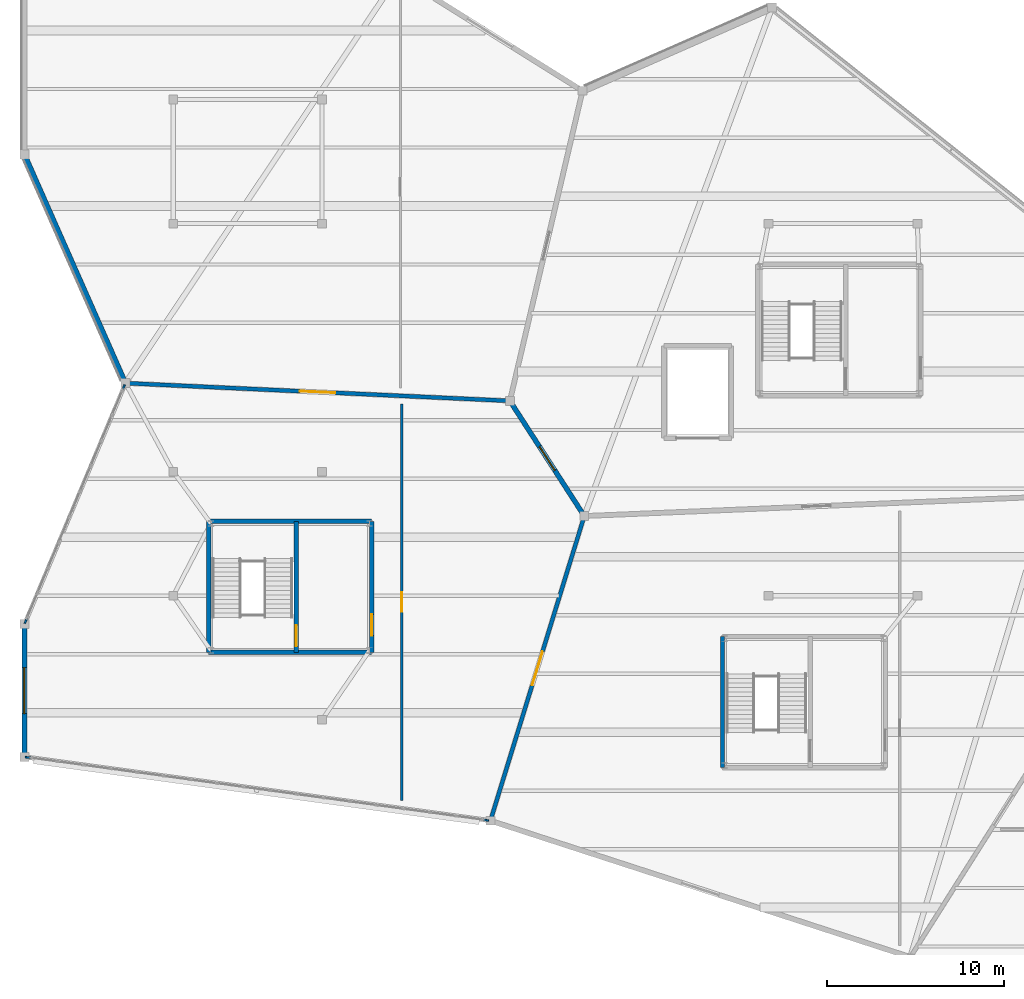
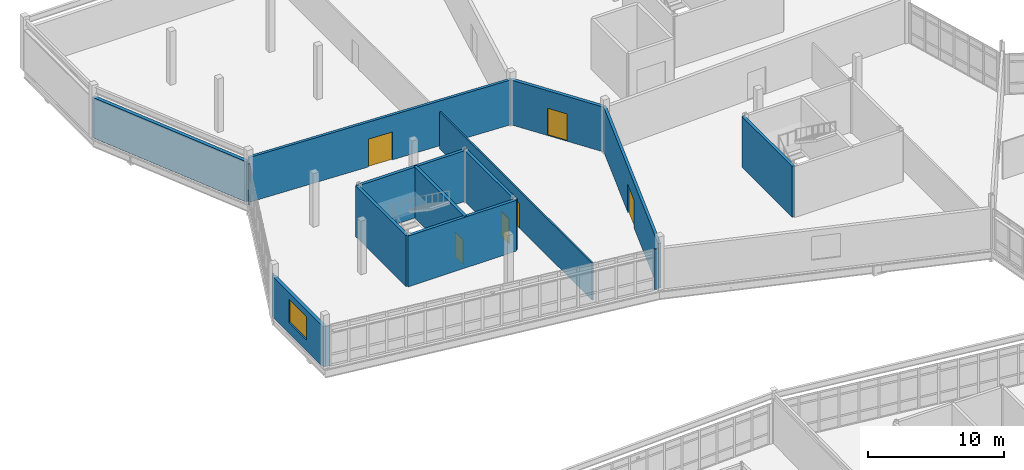
# One storey, part 111 of 134: 16 walls, 6 doors, 1 window, 7 openings.
"""IFC4 building model written with IfcOpenShell, lengths in metres."""

from ifc_helpers import new_model, si_unit, direction, frame, frame_2d, origin, place, context, subcontext, project, spatial, rectangle, extrude, material, layer, layer_set, type_object, element, fill, save


model = new_model("IFC4")

# Units and contexts
model_context = context("Model", 3, precision=1e-05, world=origin(), true_north=direction((0.0, 1.0)))
body_context = subcontext(model_context, "Body", "Model", "MODEL_VIEW")
ifc_project = project(units=[si_unit("LENGTHUNIT", "METRE"), si_unit("AREAUNIT", "SQUARE_METRE"), si_unit("VOLUMEUNIT", "CUBIC_METRE"), si_unit("PLANEANGLEUNIT", "RADIAN"), si_unit("MASSUNIT", "GRAM", prefix="KILO")], contexts=[model_context])

# Site, building, storey
site_placement = place(None, origin())
site = spatial("IfcSite", under=ifc_project, at=site_placement, CompositionType="ELEMENT")
building_placement = place(site_placement, origin())
building = spatial("IfcBuilding", under=site, at=building_placement, Name="Tameran Prism Museum", CompositionType="ELEMENT")
storey_placement = place(building_placement, frame((0.0, 0.0, 5.39990234375)))
storey = spatial("IfcBuildingStorey", under=building, at=storey_placement, Name="L01", CompositionType="ELEMENT", Elevation=5.39990234375)

# Walls
ifc_material_1 = material(Name="Precast Concrete N40 (40 MPa)", Category="concrete")
ifc_layer_1 = layer(ifc_material_1, 0.094970703125)
ifc_layer_set_1 = layer_set([ifc_layer_1])
wall_type_1 = type_object("IfcWallType", Name="EW-CLOS-095", PredefinedType="SOLIDWALL", material=ifc_layer_set_1)
for number, where, z_axis, x_axis, name in (
    (1, (26.198974609375, 64.31396484375, 0.0), (0.0, 0.0, 1.0), (-0.991074779294, 0.133307096014, 0.0), "Facade Corner Closure EW-0256"),
    (2, (0.346923828125, 67.85302734375, 0.0), (0.0, 0.0, 1.0), (-0.991074779294, 0.133307096014, 0.0), "Facade Corner Closure EW-0257"),
):
    element("IfcWall", number, at=place(storey_placement, frame(where, z_axis=z_axis, x_axis=x_axis)), inside=storey, type_object=wall_type_1, Name=name, PredefinedType="SOLIDWALL", context=body_context, shape_type="SweptSolid", body=[
        extrude(rectangle(XDim=0.3076171875, YDim=0.094970703125, at=frame_2d((0.15380859375, 0.0))), origin(), (0.0, 0.0, 1.0), 3.6201171875),
    ])
for number, where, z_axis, x_axis, name in (
    (3, (0.01611328125, 75.43896484375, 0.0), (0.0, 0.0, 1.0), (0.3862479465, 0.922394993387, 0.0), "Facade Corner Closure EW-0258"),
    (4, (5.5419921875, 88.6220703125, 0.0), (0.0, 0.0, 1.0), (0.3862479465, 0.922394993387, 0.0), "Facade Corner Closure EW-0259"),
):
    element("IfcWall", number, at=place(storey_placement, frame(where, z_axis=z_axis, x_axis=x_axis)), inside=storey, type_object=wall_type_1, Name=name, PredefinedType="SOLIDWALL", context=body_context, shape_type="SweptSolid", body=[
        extrude(rectangle(XDim=0.307861328125, YDim=0.094970703125, at=frame_2d((0.15380859375, 0.0))), origin(), (0.0, 0.0, 1.0), 3.6201171875),
    ])

# Wall, opening, window
ifc_material_2 = material(Name="Precast Concrete N40 (40 MPa)", Category="concrete")
ifc_layer_2 = layer(ifc_material_2, 0.2900390625)
ifc_layer_set_2 = layer_set([ifc_layer_2])
wall_type_2 = type_object("IfcWallType", Name="EW-FOY-290", PredefinedType="SOLIDWALL", material=ifc_layer_set_2)
wall_1_placement = place(storey_placement, frame((0.0, 67.89990234375, 0.0), z_axis=(0.0, 0.0, 1.0), x_axis=(0.0, 1.0, 0.0)))
wall_1 = element("IfcWall", 5, at=wall_1_placement, inside=storey, type_object=wall_type_2, Name="Exterior Fluted Precast Wall EW-0255", PredefinedType="SOLIDWALL", context=body_context, shape_type="SweptSolid", body=[
    extrude(rectangle(XDim=7.5, YDim=0.2900390625, at=frame_2d((3.75, 0.0))), origin(), (0.0, 0.0, 1.0), 3.6201171875),
])
opening_1_placement = place(wall_1_placement, frame((2.449951171875, 0.0, 0.949951171875)))
opening_1 = element("IfcOpeningElement", 6, at=opening_1_placement, cuts=wall_1, Name="Opening W-009", PredefinedType="OPENING", context=body_context, shape_type="SweptSolid", body=[
    extrude(rectangle(XDim=2.60009765625, YDim=2.10009765625, at=frame_2d((1.300048828125, 1.050048828125))), frame((0.0, 0.155029296875, 0.0), z_axis=(0.0, -1.0, 0.0), x_axis=(1.0, 0.0, 0.0)), (0.0, 0.0, 1.0), 0.31005859375),
])
ifc_material_3 = material(Name="Cyclone Laminated Low-E Glass in 6063-T6 Frame", Category="glass")
window_type = type_object("IfcWindowType", Name="WIN-W09", PartitioningType="SINGLE_PANEL", PredefinedType="WINDOW", material=ifc_material_3)
window_placement = place(opening_1_placement, origin())
window = element("IfcWindow", 7, at=window_placement, inside=storey, type_object=window_type, Name="Solar-Shaded Window W-009", OverallHeight=2.10009765625, OverallWidth=2.60009765625, PartitioningType="SINGLE_PANEL", PredefinedType="WINDOW", context=body_context, shape_type="SweptSolid", body=[
    extrude(rectangle(XDim=2.60009765625, YDim=2.10009765625, at=frame_2d((1.300048828125, 1.050048828125))), frame((0.0, 0.030029296875, 0.0), z_axis=(0.0, -1.0, 0.0), x_axis=(1.0, 0.0, 0.0)), (0.0, 0.0, 1.0), 0.06005859375),
])
fill(opening_1, window)

# Wall
wall_2_placement = place(storey_placement, frame((5.676025390625, 89.054931640625, 0.0), z_axis=(0.0, 0.0, 1.0), x_axis=(-0.404184143846, 0.914677636035, 0.0)))
element("IfcWall", 8, at=wall_2_placement, inside=storey, type_object=wall_type_2, Name="Exterior Fluted Precast Wall EW-0263", PredefinedType="SOLIDWALL", context=body_context, shape_type="SweptSolid", body=[
    extrude(rectangle(XDim=14.043212890625, YDim=0.2900390625, at=frame_2d((7.021484375, 0.0))), origin(), (0.0, 0.0, 1.0), 3.6201171875),
])

# Wall, opening, door
ifc_material_4 = material(Name="Concrete N40 (40 MPa)", Category="concrete")
ifc_layer_3 = layer(ifc_material_4, 0.22509765625)
ifc_layer_set_3 = layer_set([ifc_layer_3])
wall_type_3 = type_object("IfcWallType", Name="IW-CMP-225", PredefinedType="SOLIDWALL", material=ifc_layer_set_3)
wall_3_placement = place(storey_placement, frame((31.60009765625, 81.5, 0.0), z_axis=(0.0, 0.0, 1.0), x_axis=(-0.294479498062, -0.955657797133, 0.0)))
wall_3 = element("IfcWall", 9, at=wall_3_placement, inside=storey, type_object=wall_type_3, Name="Compartment Wall IW-0095", PredefinedType="SOLIDWALL", context=body_context, shape_type="SweptSolid", body=[
    extrude(rectangle(XDim=17.998046875, YDim=0.22509765625, at=frame_2d((8.9990234375, 0.0))), origin(), (0.0, 0.0, 1.0), 4.02001953125),
])
opening_2_placement = place(wall_3_placement, frame((7.9990234375, 0.0, 0.0)))
opening_2 = element("IfcOpeningElement", 10, at=opening_2_placement, cuts=wall_3, Name="Opening ID-0094", PredefinedType="OPENING", context=body_context, shape_type="SweptSolid", body=[
    extrude(rectangle(XDim=2.0, YDim=2.5, at=frame_2d((1.0, 1.25))), frame((0.0, 0.12255859375, 0.0), z_axis=(0.0, -1.0, 0.0), x_axis=(1.0, 0.0, 0.0)), (0.0, 0.0, 1.0), 0.2451171875),
])
ifc_material_5 = material(Name="Fire-Rated Steel Door Leaf and Frame", Category="steel")
door_type_1 = type_object("IfcDoorType", Name="DR-GAL-200", OperationType="DOUBLE_DOOR_SINGLE_SWING", PredefinedType="DOOR", material=ifc_material_5)
door_1_placement = place(opening_2_placement, origin())
door_1 = element("IfcDoor", 11, at=door_1_placement, inside=storey, type_object=door_type_1, Name="Compartment Door ID-0094", OperationType="DOUBLE_DOOR_SINGLE_SWING", OverallHeight=2.5, OverallWidth=2.0, PredefinedType="DOOR", context=body_context, shape_type="SweptSolid", body=[
    extrude(rectangle(XDim=2.0, YDim=2.5, at=frame_2d((1.0, 1.25))), frame((0.0, 0.02490234375, 0.0), z_axis=(0.0, -1.0, 0.0), x_axis=(1.0, 0.0, 0.0)), (0.0, 0.0, 1.0), 0.050048828125),
])
fill(opening_2, door_1)

wall_4_placement = place(storey_placement, frame((27.39990234375, 88.0, 0.0), z_axis=(0.0, 0.0, 1.0), x_axis=(-0.998939864331, 0.046034198714, 0.0)))
wall_4 = element("IfcWall", 12, at=wall_4_placement, inside=storey, type_object=wall_type_3, Name="Compartment Wall IW-0098", PredefinedType="SOLIDWALL", context=body_context, shape_type="SweptSolid", body=[
    extrude(rectangle(XDim=21.722900390625, YDim=0.22509765625, at=frame_2d((10.861328125, 0.0))), origin(), (0.0, 0.0, 1.0), 4.02001953125),
])
opening_3_placement = place(wall_4_placement, frame((9.862060546875, 0.0, 0.0)))
opening_3 = element("IfcOpeningElement", 13, at=opening_3_placement, cuts=wall_4, Name="Opening ID-0097", PredefinedType="OPENING", context=body_context, shape_type="SweptSolid", body=[
    extrude(rectangle(XDim=2.0, YDim=2.5, at=frame_2d((1.0, 1.25))), frame((0.0, 0.12255859375, 0.0), z_axis=(0.0, -1.0, 0.0), x_axis=(1.0, 0.0, 0.0)), (0.0, 0.0, 1.0), 0.2451171875),
])
door_2_placement = place(opening_3_placement, origin())
door_2 = element("IfcDoor", 14, at=door_2_placement, inside=storey, type_object=door_type_1, Name="Compartment Door ID-0097", OperationType="DOUBLE_DOOR_SINGLE_SWING", OverallHeight=2.5, OverallWidth=2.0, PredefinedType="DOOR", context=body_context, shape_type="SweptSolid", body=[
    extrude(rectangle(XDim=2.0, YDim=2.5, at=frame_2d((1.0, 1.25))), frame((0.0, 0.02490234375, 0.0), z_axis=(0.0, -1.0, 0.0), x_axis=(1.0, 0.0, 0.0)), (0.0, 0.0, 1.0), 0.050048828125),
])
fill(opening_3, door_2)

ifc_material_6 = material(Name="Concrete N40 (40 MPa)", Category="concrete")
ifc_layer_4 = layer(ifc_material_6, 0.27490234375)
ifc_layer_set_4 = layer_set([ifc_layer_4])
wall_type_4 = type_object("IfcWallType", Name="IW-CMP-275", PredefinedType="SOLIDWALL", material=ifc_layer_set_4)
wall_5_placement = place(storey_placement, frame((27.39990234375, 88.0, 0.0), z_axis=(0.0, 0.0, 1.0), x_axis=(0.542733189748, -0.839905164138, 0.0)))
wall_5 = element("IfcWall", 15, at=wall_5_placement, inside=storey, type_object=wall_type_4, Name="Compartment Wall IW-0096", PredefinedType="SOLIDWALL", context=body_context, shape_type="SweptSolid", body=[
    extrude(rectangle(XDim=7.739013671875, YDim=0.27490234375, at=frame_2d((3.86962890625, 0.0))), origin(), (0.0, 0.0, 1.0), 4.02001953125),
])
opening_4_placement = place(wall_5_placement, frame((3.069091796875, 0.0, 0.0)))
opening_4 = element("IfcOpeningElement", 16, at=opening_4_placement, cuts=wall_5, Name="Opening ID-0095", PredefinedType="OPENING", context=body_context, shape_type="SweptSolid", body=[
    extrude(rectangle(XDim=1.60009765625, YDim=2.449951171875, at=frame_2d((0.800048828125, 1.22509765625))), frame((0.0, 0.1474609375, 0.0), z_axis=(0.0, -1.0, 0.0), x_axis=(1.0, 0.0, 0.0)), (0.0, 0.0, 1.0), 0.294921875),
])
ifc_material_7 = material(Name="Fire-Rated Steel Door Leaf and Frame", Category="steel")
door_type_2 = type_object("IfcDoorType", Name="DR-FD-240", OperationType="DOUBLE_DOOR_SINGLE_SWING", PredefinedType="DOOR", material=ifc_material_7)
door_3_placement = place(opening_4_placement, origin())
door_3 = element("IfcDoor", 17, at=door_3_placement, inside=storey, type_object=door_type_2, Name="Compartment Door ID-0095", OperationType="DOUBLE_DOOR_SINGLE_SWING", OverallHeight=2.449951171875, OverallWidth=1.60009765625, PredefinedType="DOOR", context=body_context, shape_type="SweptSolid", body=[
    extrude(rectangle(XDim=1.60009765625, YDim=2.449951171875, at=frame_2d((0.800048828125, 1.22509765625))), frame((0.0, 0.02490234375, 0.0), z_axis=(0.0, -1.0, 0.0), x_axis=(1.0, 0.0, 0.0)), (0.0, 0.0, 1.0), 0.050048828125),
])
fill(opening_4, door_3)

# Walls
ifc_material_8 = material(Name="Concrete N40 (40 MPa)", Category="concrete")
ifc_layer_5 = layer(ifc_material_8, 0.25)
ifc_layer_set_5 = layer_set([ifc_layer_5])
wall_type_5 = type_object("IfcWallType", Name="IW-COR-250", PredefinedType="SHEAR", material=ifc_layer_set_5)
for number, where, z_axis, x_axis, name in (
    (18, (39.39990234375, 67.300048828125, 0.0), (0.0, 0.0, 1.0), (0.0, 1.0, 0.0), "Core Shear Wall CW-5-L01-W"),
    (19, (10.39990234375, 73.800048828125, 0.0), (0.0, 0.0, 1.0), (0.0, 1.0, 0.0), "Core Shear Wall CW-9-L01-W"),
):
    element("IfcWall", number, at=place(storey_placement, frame(where, z_axis=z_axis, x_axis=x_axis)), inside=storey, type_object=wall_type_5, Name=name, PredefinedType="SHEAR", context=body_context, shape_type="SweptSolid", body=[
        extrude(rectangle(XDim=7.39990234375, YDim=0.25, at=frame_2d((3.699951171875, 0.0))), origin(), (0.0, 0.0, 1.0), 4.56005859375),
    ])
for number, where, z_axis, x_axis, name in (
    (20, (10.39990234375, 81.199951171875, 0.0), (0.0, 0.0, 1.0), (1.0, 0.0, 0.0), "Core Shear Wall CW-9-L01-N"),
    (21, (19.60009765625, 73.800048828125, 0.0), (0.0, 0.0, 1.0), (-1.0, 0.0, 0.0), "Core Shear Wall CW-9-L01-S"),
):
    element("IfcWall", number, at=place(storey_placement, frame(where, z_axis=z_axis, x_axis=x_axis)), inside=storey, type_object=wall_type_5, Name=name, PredefinedType="SHEAR", context=body_context, shape_type="SweptSolid", body=[
        extrude(rectangle(XDim=9.2001953125, YDim=0.25, at=frame_2d((4.60009765625, 0.0))), origin(), (0.0, 0.0, 1.0), 4.56005859375),
    ])

# Wall, opening, door
wall_6_placement = place(storey_placement, frame((19.60009765625, 81.199951171875, 0.0), z_axis=(0.0, 0.0, 1.0), x_axis=(0.0, -1.0, 0.0)))
wall_6 = element("IfcWall", 22, at=wall_6_placement, inside=storey, type_object=wall_type_5, Name="Core Shear Wall CW-9-L01-E", PredefinedType="SHEAR", context=body_context, shape_type="SweptSolid", body=[
    extrude(rectangle(XDim=7.39990234375, YDim=0.25, at=frame_2d((3.699951171875, 0.0))), origin(), (0.0, 0.0, 1.0), 4.56005859375),
])
opening_5_placement = place(wall_6_placement, frame((5.25, 0.0, 0.0)))
opening_5 = element("IfcOpeningElement", 23, at=opening_5_placement, cuts=wall_6, Name="Opening FD-0263", PredefinedType="OPENING", context=body_context, shape_type="SweptSolid", body=[
    extrude(rectangle(XDim=1.199951171875, YDim=2.199951171875, at=frame_2d((0.60009765625, 1.10009765625))), frame((0.0, 0.135009765625, 0.0), z_axis=(0.0, -1.0, 0.0), x_axis=(1.0, 0.0, 0.0)), (0.0, 0.0, 1.0), 0.27001953125),
])
ifc_material_9 = material(Name="Fire-Rated Steel Door Leaf and Frame", Category="steel")
door_type_3 = type_object("IfcDoorType", Name="DR-FD-120A", OperationType="NOTDEFINED", PredefinedType="DOOR", material=ifc_material_9)
door_4_placement = place(opening_5_placement, origin())
door_4 = element("IfcDoor", 24, at=door_4_placement, inside=storey, type_object=door_type_3, Name="Core Fire Door FD-0263", OperationType="SINGLE_SWING_LEFT", OverallHeight=2.199951171875, OverallWidth=1.199951171875, PredefinedType="DOOR", context=body_context, shape_type="SweptSolid", body=[
    extrude(rectangle(XDim=1.199951171875, YDim=2.199951171875, at=frame_2d((0.60009765625, 1.10009765625))), frame((0.0, 0.02490234375, 0.0), z_axis=(0.0, -1.0, 0.0), x_axis=(1.0, 0.0, 0.0)), (0.0, 0.0, 1.0), 0.050048828125),
])
fill(opening_5, door_4)

wall_7_placement = place(storey_placement, frame((15.35009765625, 81.199951171875, 0.0), z_axis=(0.0, 0.0, 1.0), x_axis=(0.0, -1.0, 0.0)))
wall_7 = element("IfcWall", 25, at=wall_7_placement, inside=storey, type_object=wall_type_5, Name="Core Shear Wall CW-9-L01-M", PredefinedType="SHEAR", context=body_context, shape_type="SweptSolid", body=[
    extrude(rectangle(XDim=7.39990234375, YDim=0.25, at=frame_2d((3.699951171875, 0.0))), origin(), (0.0, 0.0, 1.0), 4.56005859375),
])
opening_6_placement = place(wall_7_placement, frame((5.85009765625, 0.0, 0.0)))
opening_6 = element("IfcOpeningElement", 26, at=opening_6_placement, cuts=wall_7, Name="Opening FD-0264", PredefinedType="OPENING", context=body_context, shape_type="SweptSolid", body=[
    extrude(rectangle(XDim=1.199951171875, YDim=2.199951171875, at=frame_2d((0.60009765625, 1.10009765625))), frame((0.0, 0.135009765625, 0.0), z_axis=(0.0, -1.0, 0.0), x_axis=(1.0, 0.0, 0.0)), (0.0, 0.0, 1.0), 0.27001953125),
])
door_5_placement = place(opening_6_placement, origin())
door_5 = element("IfcDoor", 27, at=door_5_placement, inside=storey, type_object=door_type_3, Name="Core Fire Door FD-0264", OperationType="SINGLE_SWING_RIGHT", OverallHeight=2.199951171875, OverallWidth=1.199951171875, PredefinedType="DOOR", context=body_context, shape_type="SweptSolid", body=[
    extrude(rectangle(XDim=1.199951171875, YDim=2.199951171875, at=frame_2d((0.60009765625, 1.10009765625))), frame((0.0, 0.02490234375, 0.0), z_axis=(0.0, -1.0, 0.0), x_axis=(1.0, 0.0, 0.0)), (0.0, 0.0, 1.0), 0.050048828125),
])
fill(opening_6, door_5)

ifc_material_10 = material(Name="Wet-Area Fibre-Cement Stud Partition")
ifc_layer_6 = layer(ifc_material_10, 0.1298828125)
ifc_layer_set_6 = layer_set([ifc_layer_6])
wall_type_6 = type_object("IfcWallType", Name="IW-PRT-130", PredefinedType="PARTITIONING", material=ifc_layer_set_6)
wall_8_placement = place(storey_placement, frame((21.298095703125, 65.43896484375, 0.0), z_axis=(0.0, 0.0, 1.0), x_axis=(0.0, 1.0, 0.0)))
wall_8 = element("IfcWall", 28, at=wall_8_placement, inside=storey, type_object=wall_type_6, Name="Internal Partition PT-0109", PredefinedType="PARTITIONING", context=body_context, shape_type="SweptSolid", body=[
    extrude(rectangle(XDim=22.39208984375, YDim=0.1298828125, at=frame_2d((11.196044921875, 0.0))), origin(), (0.0, 0.0, 1.0), 3.320068359375),
])
opening_7_placement = place(wall_8_placement, frame((10.64599609375, 0.0, 0.0)))
opening_7 = element("IfcOpeningElement", 29, at=opening_7_placement, cuts=wall_8, Name="Opening ID-0108", PredefinedType="OPENING", context=body_context, shape_type="SweptSolid", body=[
    extrude(rectangle(XDim=1.10009765625, YDim=2.199951171875, at=frame_2d((0.550048828125, 1.10009765625))), frame((0.0, 0.074951171875, 0.0), z_axis=(0.0, -1.0, 0.0), x_axis=(1.0, 0.0, 0.0)), (0.0, 0.0, 1.0), 0.14990234375),
])
ifc_material_11 = material(Name="Fire-Rated Steel Door Leaf and Frame", Category="steel")
door_type_4 = type_object("IfcDoorType", Name="DR-INT-110", OperationType="NOTDEFINED", PredefinedType="DOOR", material=ifc_material_11)
door_6_placement = place(opening_7_placement, origin())
door_6 = element("IfcDoor", 30, at=door_6_placement, inside=storey, type_object=door_type_4, Name="Interior Room Door ID-0108", OperationType="SINGLE_SWING_LEFT", OverallHeight=2.199951171875, OverallWidth=1.10009765625, PredefinedType="DOOR", context=body_context, shape_type="SweptSolid", body=[
    extrude(rectangle(XDim=1.10009765625, YDim=2.199951171875, at=frame_2d((0.550048828125, 1.10009765625))), frame((0.0, 0.02490234375, 0.0), z_axis=(0.0, -1.0, 0.0), x_axis=(1.0, 0.0, 0.0)), (0.0, 0.0, 1.0), 0.050048828125),
])
fill(opening_7, door_6)

save(model, "model.ifc")
